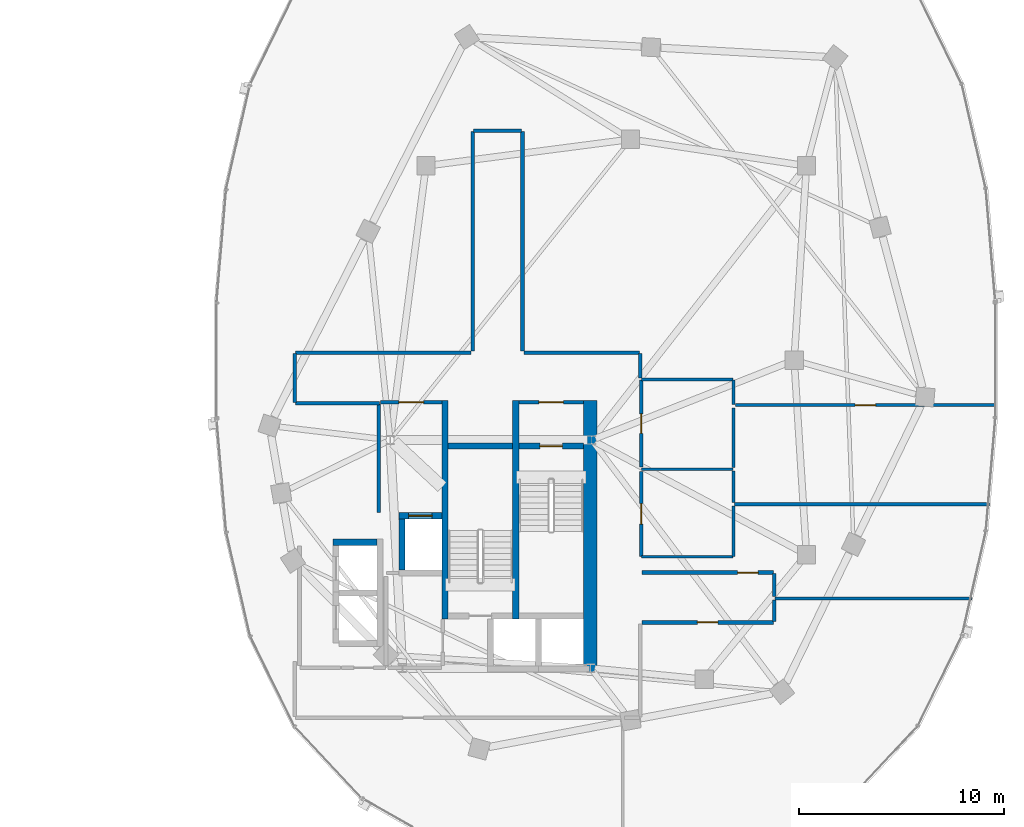
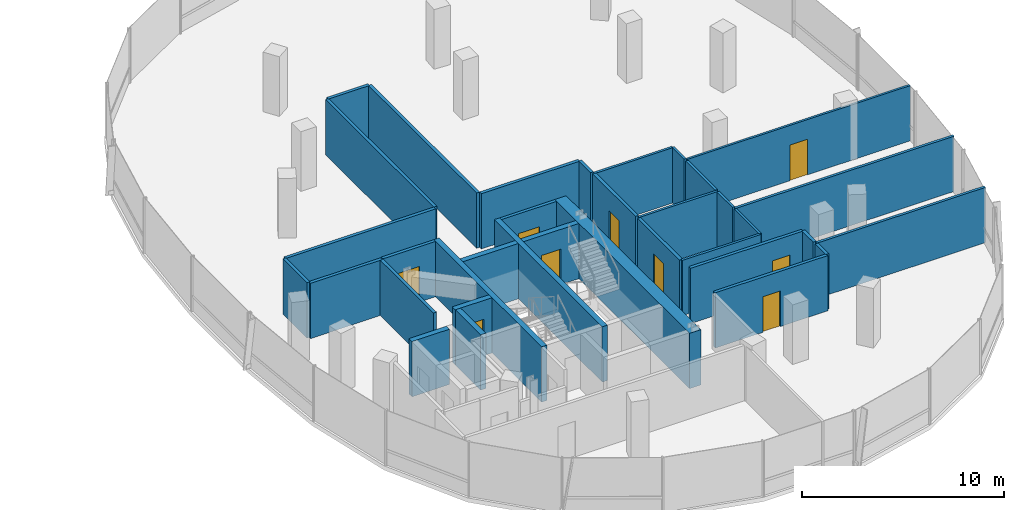
# One storey, part 17 of 25: 35 walls, 9 doors, 9 openings.
"""IFC4 building model written with IfcOpenShell, lengths in metres."""

from ifc_helpers import new_model, si_unit, direction, frame, frame_2d, origin, place, context, subcontext, project, spatial, rectangle, extrude, material, layer, layer_set, type_object, element, fill, save


model = new_model("IFC4")

# Units and contexts
model_context = context("Model", 3, precision=1e-05, world=origin(), true_north=direction((0.0, 1.0)))
body_context = subcontext(model_context, "Body", "Model", "MODEL_VIEW")
ifc_project = project(units=[si_unit("LENGTHUNIT", "METRE"), si_unit("AREAUNIT", "SQUARE_METRE"), si_unit("VOLUMEUNIT", "CUBIC_METRE"), si_unit("PLANEANGLEUNIT", "RADIAN"), si_unit("MASSUNIT", "GRAM", prefix="KILO"), si_unit("THERMODYNAMICTEMPERATUREUNIT", "KELVIN"), si_unit("POWERUNIT", "WATT")], contexts=[model_context])

# Site, building, storey
site_placement = place(None, origin())
site = spatial("IfcSite", under=ifc_project, at=site_placement, CompositionType="ELEMENT")
building_placement = place(site_placement, origin())
building = spatial("IfcBuilding", under=site, at=building_placement, Name="Cundina Bronze Exchange", CompositionType="ELEMENT")
storey_placement = place(building_placement, frame((0.0, 0.0, 191.800048828125)))
storey = spatial("IfcBuildingStorey", under=building, at=storey_placement, Name="L50", CompositionType="ELEMENT", Elevation=191.800048828125)

# Wall
ifc_material_1 = material(Name="Gypsum Fireboard Partition EI120")
ifc_layer_1 = layer(ifc_material_1, 0.179931640625, Name="Gypsum Fireboard Partition EI120")
ifc_layer_set_1 = layer_set([ifc_layer_1], Name="Gypsum Fireboard Partition EI120")
wall_type_1 = type_object("IfcWallType", Name="WL-COR-180", PredefinedType="PARTITIONING", material=ifc_layer_set_1)
wall_1_placement = place(storey_placement, frame((20.889892578125, -7.449951171875, 0.0), z_axis=(0.0, 0.0, 1.0), x_axis=(0.0, 1.0, 0.0)))
element("IfcWall", 1, at=wall_1_placement, inside=storey, type_object=wall_type_1, Name="L50 E Firefighting Lobby Side Wall", PredefinedType="PARTITIONING", context=body_context, shape_type="SweptSolid", body=[
    extrude(rectangle(XDim=5.300048828125, YDim=0.179931640625, at=frame_2d((2.64990234375, 0.0))), origin(), (0.0, 0.0, 1.0), 3.33984375),
])

# Wall, opening, door
wall_2_placement = place(storey_placement, frame((20.97998046875, -2.06005859375, 0.0), z_axis=(0.0, 0.0, 1.0), x_axis=(1.0, 0.0, 0.0)))
wall_2 = element("IfcWall", 2, at=wall_2_placement, inside=storey, type_object=wall_type_1, Name="L50 E Firefighting Lobby Exit Wall", PredefinedType="PARTITIONING", context=body_context, shape_type="SweptSolid", body=[
    extrude(rectangle(XDim=3.0, YDim=0.179931640625, at=frame_2d((1.5, 0.0))), origin(), (0.0, 0.0, 1.0), 3.33984375),
])
opening_1_placement = place(wall_2_placement, frame((0.89990234375, 0.0, 0.0)))
opening_1 = element("IfcOpeningElement", 3, at=opening_1_placement, cuts=wall_2, Name="Opening DF-01", PredefinedType="OPENING", context=body_context, shape_type="SweptSolid", body=[
    extrude(rectangle(XDim=1.199951171875, YDim=2.14990234375, at=frame_2d((0.60009765625, 1.074951171875))), frame((0.0, 0.099853515625, 0.0), z_axis=(0.0, -1.0, 0.0), x_axis=(1.0, 0.0, 0.0)), (0.0, 0.0, 1.0), 0.199951171875),
])
ifc_material_2 = material(Name="Steel ASTM A36 Painted", Category="steel")
door_type_1 = type_object("IfcDoorType", Name="DR-FFL-1200", OperationType="NOTDEFINED", PredefinedType="DOOR", material=ifc_material_2)
door_1_placement = place(opening_1_placement, origin())
door_1 = element("IfcDoor", 4, at=door_1_placement, inside=storey, type_object=door_type_1, Name="L50 E Firefighting Lobby Door", OperationType="SINGLE_SWING_LEFT", OverallHeight=2.14990234375, OverallWidth=1.199951171875, PredefinedType="DOOR", context=body_context, shape_type="SweptSolid", body=[
    extrude(rectangle(XDim=1.199951171875, YDim=2.14990234375, at=frame_2d((0.60009765625, 1.074951171875))), frame((0.0, 0.02490234375, 0.0), z_axis=(0.0, -1.0, 0.0), x_axis=(1.0, 0.0, 0.0)), (0.0, 0.0, 1.0), 0.050048828125),
])
fill(opening_1, door_1)

wall_3_placement = place(storey_placement, frame((27.739990234375, -2.06005859375, 0.0), z_axis=(0.0, 0.0, 1.0), x_axis=(1.0, 0.0, 0.0)))
wall_3 = element("IfcWall", 5, at=wall_3_placement, inside=storey, type_object=wall_type_1, Name="L50 E Stair Vestibule Exit Wall", PredefinedType="PARTITIONING", context=body_context, shape_type="SweptSolid", body=[
    extrude(rectangle(XDim=3.159912109375, YDim=0.179931640625, at=frame_2d((1.580078125, 0.0))), origin(), (0.0, 0.0, 1.0), 3.33984375),
])
opening_2_placement = place(wall_3_placement, frame((0.97998046875, 0.0, 0.0)))
opening_2 = element("IfcOpeningElement", 6, at=opening_2_placement, cuts=wall_3, Name="Opening DF-01", PredefinedType="OPENING", context=body_context, shape_type="SweptSolid", body=[
    extrude(rectangle(XDim=1.199951171875, YDim=2.14990234375, at=frame_2d((0.60009765625, 1.074951171875))), frame((0.0, 0.099853515625, 0.0), z_axis=(0.0, -1.0, 0.0), x_axis=(1.0, 0.0, 0.0)), (0.0, 0.0, 1.0), 0.199951171875),
])
door_2_placement = place(opening_2_placement, origin())
door_2 = element("IfcDoor", 7, at=door_2_placement, inside=storey, type_object=door_type_1, Name="L50 E Stair Vestibule Door", OperationType="SINGLE_SWING_RIGHT", OverallHeight=2.14990234375, OverallWidth=1.199951171875, PredefinedType="DOOR", context=body_context, shape_type="SweptSolid", body=[
    extrude(rectangle(XDim=1.199951171875, YDim=2.14990234375, at=frame_2d((0.60009765625, 1.074951171875))), frame((0.0, 0.02490234375, 0.0), z_axis=(0.0, -1.0, 0.0), x_axis=(1.0, 0.0, 0.0)), (0.0, 0.0, 1.0), 0.050048828125),
])
fill(opening_2, door_2)

wall_4_placement = place(storey_placement, frame((33.719970703125, -5.22998046875, 0.0), z_axis=(0.0, 0.0, 1.0), x_axis=(0.0, 1.0, 0.0)))
wall_4 = element("IfcWall", 8, at=wall_4_placement, inside=storey, type_object=wall_type_1, Name="L50 Interior Partition 054", PredefinedType="PARTITIONING", context=body_context, shape_type="SweptSolid", body=[
    extrude(rectangle(XDim=4.260009765625, YDim=0.179931640625, at=frame_2d((2.1298828125, 0.0))), origin(), (0.0, 0.0, 1.0), 3.33984375),
])
opening_3_placement = place(wall_4_placement, frame((1.655029296875, 0.0, 0.0)))
opening_3 = element("IfcOpeningElement", 9, at=opening_3_placement, cuts=wall_4, Name="Opening DW-01", PredefinedType="OPENING", context=body_context, shape_type="SweptSolid", body=[
    extrude(rectangle(XDim=0.949951171875, YDim=2.10009765625, at=frame_2d((0.47509765625, 1.050048828125))), frame((0.0, 0.099853515625, 0.0), z_axis=(0.0, -1.0, 0.0), x_axis=(1.0, 0.0, 0.0)), (0.0, 0.0, 1.0), 0.199951171875),
])
ifc_material_3 = material(Name="Solid Andean Oak Timber Grade A", Category="wood")
door_type_2 = type_object("IfcDoorType", Name="DR-WC-950", OperationType="NOTDEFINED", PredefinedType="DOOR", material=ifc_material_3)
door_3_placement = place(opening_3_placement, origin())
door_3 = element("IfcDoor", 10, at=door_3_placement, inside=storey, type_object=door_type_2, Name="L50 Interior Door 054", OperationType="SINGLE_SWING_RIGHT", OverallHeight=2.10009765625, OverallWidth=0.949951171875, PredefinedType="DOOR", context=body_context, shape_type="SweptSolid", body=[
    extrude(rectangle(XDim=0.949951171875, YDim=2.10009765625, at=frame_2d((0.47509765625, 1.050048828125))), frame((0.0, 0.02490234375, 0.0), z_axis=(0.0, -1.0, 0.0), x_axis=(1.0, 0.0, 0.0)), (0.0, 0.0, 1.0), 0.050048828125),
])
fill(opening_3, door_3)

wall_5_placement = place(storey_placement, frame((33.719970703125, -9.590087890625, 0.0), z_axis=(0.0, 0.0, 1.0), x_axis=(0.0, 1.0, 0.0)))
wall_5 = element("IfcWall", 11, at=wall_5_placement, inside=storey, type_object=wall_type_1, Name="L50 Interior Partition 055", PredefinedType="PARTITIONING", context=body_context, shape_type="SweptSolid", body=[
    extrude(rectangle(XDim=4.16015625, YDim=0.179931640625, at=frame_2d((2.080078125, 0.0))), origin(), (0.0, 0.0, 1.0), 3.33984375),
])
opening_4_placement = place(wall_5_placement, frame((1.580078125, 0.0, 0.0)))
opening_4 = element("IfcOpeningElement", 12, at=opening_4_placement, cuts=wall_5, Name="Opening DO-01", PredefinedType="OPENING", context=body_context, shape_type="SweptSolid", body=[
    extrude(rectangle(XDim=1.0, YDim=2.14990234375, at=frame_2d((0.5, 1.074951171875))), frame((0.0, 0.099853515625, 0.0), z_axis=(0.0, -1.0, 0.0), x_axis=(1.0, 0.0, 0.0)), (0.0, 0.0, 1.0), 0.199951171875),
])
door_type_3 = type_object("IfcDoorType", Name="DR-OFF-1000", OperationType="NOTDEFINED", PredefinedType="DOOR", material=ifc_material_3)
door_4_placement = place(opening_4_placement, origin())
door_4 = element("IfcDoor", 13, at=door_4_placement, inside=storey, type_object=door_type_3, Name="L50 Interior Door 055", OperationType="SINGLE_SWING_RIGHT", OverallHeight=2.14990234375, OverallWidth=1.0, PredefinedType="DOOR", context=body_context, shape_type="SweptSolid", body=[
    extrude(rectangle(XDim=1.0, YDim=2.14990234375, at=frame_2d((0.5, 1.074951171875))), frame((0.0, 0.02490234375, 0.0), z_axis=(0.0, -1.0, 0.0), x_axis=(1.0, 0.0, 0.0)), (0.0, 0.0, 1.0), 0.050048828125),
])
fill(opening_4, door_4)

wall_6_placement = place(storey_placement, frame((33.75, -12.820068359375, 0.0), z_axis=(0.0, 0.0, 1.0), x_axis=(1.0, 0.0, 0.0)))
wall_6 = element("IfcWall", 14, at=wall_6_placement, inside=storey, type_object=wall_type_1, Name="L50 Interior Partition 059", PredefinedType="PARTITIONING", context=body_context, shape_type="SweptSolid", body=[
    extrude(rectangle(XDim=6.428466796875, YDim=0.179931640625, at=frame_2d((3.21435546875, 0.0))), origin(), (0.0, 0.0, 1.0), 3.33984375),
])
opening_5_placement = place(wall_6_placement, frame((2.714111328125, 0.0, 0.0)))
opening_5 = element("IfcOpeningElement", 15, at=opening_5_placement, cuts=wall_6, Name="Opening DO-01", PredefinedType="OPENING", context=body_context, shape_type="SweptSolid", body=[
    extrude(rectangle(XDim=1.0, YDim=2.14990234375, at=frame_2d((0.5, 1.074951171875))), frame((0.0, 0.099853515625, 0.0), z_axis=(0.0, -1.0, 0.0), x_axis=(1.0, 0.0, 0.0)), (0.0, 0.0, 1.0), 0.199951171875),
])
door_5_placement = place(opening_5_placement, origin())
door_5 = element("IfcDoor", 16, at=door_5_placement, inside=storey, type_object=door_type_3, Name="L50 Interior Door 059", OperationType="SINGLE_SWING_RIGHT", OverallHeight=2.14990234375, OverallWidth=1.0, PredefinedType="DOOR", context=body_context, shape_type="SweptSolid", body=[
    extrude(rectangle(XDim=1.0, YDim=2.14990234375, at=frame_2d((0.5, 1.074951171875))), frame((0.0, 0.02490234375, 0.0), z_axis=(0.0, -1.0, 0.0), x_axis=(1.0, 0.0, 0.0)), (0.0, 0.0, 1.0), 0.050048828125),
])
fill(opening_5, door_5)

# Wall
wall_7_placement = place(storey_placement, frame((40.219970703125, -12.778564453125, 0.0), z_axis=(0.0, 0.0, 1.0), x_axis=(0.0, 1.0, 0.0)))
element("IfcWall", 17, at=wall_7_placement, inside=storey, type_object=wall_type_1, Name="L50 Interior Partition 061", PredefinedType="PARTITIONING", context=body_context, shape_type="SweptSolid", body=[
    extrude(rectangle(XDim=1.048583984375, YDim=0.179931640625, at=frame_2d((0.5244140625, 0.0))), origin(), (0.0, 0.0, 1.0), 3.33984375),
])

# Wall, opening, door
wall_8_placement = place(storey_placement, frame((40.178466796875, -10.3798828125, 0.0), z_axis=(0.0, 0.0, 1.0), x_axis=(-1.0, 0.0, 0.0)))
wall_8 = element("IfcWall", 18, at=wall_8_placement, inside=storey, type_object=wall_type_1, Name="L50 Interior Partition 063", PredefinedType="PARTITIONING", context=body_context, shape_type="SweptSolid", body=[
    extrude(rectangle(XDim=6.428466796875, YDim=0.179931640625, at=frame_2d((3.21435546875, 0.0))), origin(), (0.0, 0.0, 1.0), 3.33984375),
])
opening_6_placement = place(wall_8_placement, frame((0.74267578125, 0.0, 0.0)))
opening_6 = element("IfcOpeningElement", 19, at=opening_6_placement, cuts=wall_8, Name="Opening DO-01", PredefinedType="OPENING", context=body_context, shape_type="SweptSolid", body=[
    extrude(rectangle(XDim=1.0, YDim=2.14990234375, at=frame_2d((0.5, 1.074951171875))), frame((0.0, 0.099853515625, 0.0), z_axis=(0.0, -1.0, 0.0), x_axis=(1.0, 0.0, 0.0)), (0.0, 0.0, 1.0), 0.199951171875),
])
door_6_placement = place(opening_6_placement, origin())
door_6 = element("IfcDoor", 20, at=door_6_placement, inside=storey, type_object=door_type_3, Name="L50 Interior Door 063", OperationType="SINGLE_SWING_LEFT", OverallHeight=2.14990234375, OverallWidth=1.0, PredefinedType="DOOR", context=body_context, shape_type="SweptSolid", body=[
    extrude(rectangle(XDim=1.0, YDim=2.14990234375, at=frame_2d((0.5, 1.074951171875))), frame((0.0, 0.02490234375, 0.0), z_axis=(0.0, -1.0, 0.0), x_axis=(1.0, 0.0, 0.0)), (0.0, 0.0, 1.0), 0.050048828125),
])
fill(opening_6, door_6)

# Walls
wall_9_placement = place(storey_placement, frame((40.219970703125, -11.550048828125, 0.0), z_axis=(0.0, 0.0, 1.0), x_axis=(0.0, 1.0, 0.0)))
element("IfcWall", 21, at=wall_9_placement, inside=storey, type_object=wall_type_1, Name="L50 Interior Partition 064", PredefinedType="PARTITIONING", context=body_context, shape_type="SweptSolid", body=[
    extrude(rectangle(XDim=1.128662109375, YDim=0.179931640625, at=frame_2d((0.564453125, 0.0))), origin(), (0.0, 0.0, 1.0), 3.33984375),
])
for number, where, z_axis, x_axis, name in (
    (22, (27.919921875, 0.449951171875, 0.0), (0.0, 0.0, 1.0), (0.0, 1.0, 0.0), "L50 Interior Partition 066"),
    (23, (25.47998046875, 11.178466796875, 0.0), (0.0, 0.0, 1.0), (0.0, -1.0, 0.0), "L50 Interior Partition 067"),
):
    element("IfcWall", number, at=place(storey_placement, frame(where, z_axis=z_axis, x_axis=x_axis)), inside=storey, type_object=wall_type_1, Name=name, PredefinedType="PARTITIONING", context=body_context, shape_type="SweptSolid", body=[
        extrude(rectangle(XDim=10.728515625, YDim=0.179931640625, at=frame_2d((5.3642578125, 0.0))), origin(), (0.0, 0.0, 1.0), 3.33984375),
    ])
wall_10_placement = place(storey_placement, frame((25.39990234375, 0.3701171875, 0.0), z_axis=(0.0, 0.0, 1.0), x_axis=(-1.0, 0.0, 0.0)))
element("IfcWall", 24, at=wall_10_placement, inside=storey, type_object=wall_type_1, Name="L50 Interior Partition 068", PredefinedType="PARTITIONING", context=body_context, shape_type="SweptSolid", body=[
    extrude(rectangle(XDim=8.578369140625, YDim=0.179931640625, at=frame_2d((4.2890625, 0.0))), origin(), (0.0, 0.0, 1.0), 3.33984375),
])
wall_11_placement = place(storey_placement, frame((33.62841796875, 0.3701171875, 0.0), z_axis=(0.0, 0.0, 1.0), x_axis=(-1.0, 0.0, 0.0)))
element("IfcWall", 25, at=wall_11_placement, inside=storey, type_object=wall_type_1, Name="L50 Interior Partition 069", PredefinedType="PARTITIONING", context=body_context, shape_type="SweptSolid", body=[
    extrude(rectangle(XDim=5.62841796875, YDim=0.179931640625, at=frame_2d((2.814208984375, 0.0))), origin(), (0.0, 0.0, 1.0), 3.33984375),
])
wall_12_placement = place(storey_placement, frame((16.821533203125, -2.10009765625, 0.0), z_axis=(0.0, 0.0, 1.0), x_axis=(1.0, 0.0, 0.0)))
element("IfcWall", 26, at=wall_12_placement, inside=storey, type_object=wall_type_1, Name="L50 Interior Partition 070", PredefinedType="PARTITIONING", context=body_context, shape_type="SweptSolid", body=[
    extrude(rectangle(XDim=4.098388671875, YDim=0.179931640625, at=frame_2d((2.04931640625, 0.0))), origin(), (0.0, 0.0, 1.0), 3.33984375),
])
wall_13_placement = place(storey_placement, frame((16.780029296875, 0.32861328125, 0.0), z_axis=(0.0, 0.0, 1.0), x_axis=(0.0, -1.0, 0.0)))
element("IfcWall", 27, at=wall_13_placement, inside=storey, type_object=wall_type_1, Name="L50 Interior Partition 072", PredefinedType="PARTITIONING", context=body_context, shape_type="SweptSolid", body=[
    extrude(rectangle(XDim=2.38720703125, YDim=0.179931640625, at=frame_2d((1.193603515625, 0.0))), origin(), (0.0, 0.0, 1.0), 3.33984375),
])
wall_14_placement = place(storey_placement, frame((27.87841796875, 11.219970703125, 0.0), z_axis=(0.0, 0.0, 1.0), x_axis=(-1.0, 0.0, 0.0)))
element("IfcWall", 28, at=wall_14_placement, inside=storey, type_object=wall_type_1, Name="L50 Interior Partition 073", PredefinedType="PARTITIONING", context=body_context, shape_type="SweptSolid", body=[
    extrude(rectangle(XDim=2.35693359375, YDim=0.179931640625, at=frame_2d((1.178466796875, 0.0))), origin(), (0.0, 0.0, 1.0), 3.33984375),
])
wall_15_placement = place(storey_placement, frame((33.669921875, -0.858642578125, 0.0), z_axis=(0.0, 0.0, 1.0), x_axis=(0.0, 1.0, 0.0)))
element("IfcWall", 29, at=wall_15_placement, inside=storey, type_object=wall_type_1, Name="L50 Interior Partition 074", PredefinedType="PARTITIONING", context=body_context, shape_type="SweptSolid", body=[
    extrude(rectangle(XDim=1.187255859375, YDim=0.179931640625, at=frame_2d((0.59375, 0.0))), origin(), (0.0, 0.0, 1.0), 3.33984375),
])
ifc_material_4 = material(Name="Concrete C50/60", Category="concrete")
ifc_layer_2 = layer(ifc_material_4, 0.64990234375, Name="Concrete C50/60", Category="concrete")
ifc_layer_set_2 = layer_set([ifc_layer_2], Name="Concrete C50/60")
wall_type_2 = type_object("IfcWallType", Name="WL-CORE-650", PredefinedType="SHEAR", material=ifc_layer_set_2)
wall_16_placement = place(storey_placement, frame((31.22509765625, -15.300048828125, 0.0), z_axis=(0.0, 0.0, 1.0), x_axis=(0.0, 1.0, 0.0)))
element("IfcWall", 30, at=wall_16_placement, inside=storey, type_object=wall_type_2, Name="L50 E Primary Core Shear Spine Wall", PredefinedType="SHEAR", context=body_context, shape_type="SweptSolid", body=[
    extrude(rectangle(XDim=13.330078125, YDim=0.64990234375, at=frame_2d((6.6650390625, 0.0))), origin(), (0.0, 0.0, 1.0), 3.33984375),
])

# Wall, opening, door
ifc_material_5 = material(Name="Gypsum Acoustic Partition EI60")
ifc_layer_3 = layer(ifc_material_5, 0.125, Name="Gypsum Acoustic Partition EI60")
ifc_layer_set_3 = layer_set([ifc_layer_3], Name="Gypsum Acoustic Partition EI60")
wall_type_3 = type_object("IfcWallType", Name="WL-OFF-125", PredefinedType="PARTITIONING", material=ifc_layer_set_3)
wall_17_placement = place(storey_placement, frame((38.320068359375, -2.18994140625, 0.0), z_axis=(0.0, 0.0, 1.0), x_axis=(1.0, 0.0, 0.0)))
wall_17 = element("IfcWall", 31, at=wall_17_placement, inside=storey, type_object=wall_type_3, Name="L50 Interior Partition 075", PredefinedType="PARTITIONING", context=body_context, shape_type="SweptSolid", body=[
    extrude(rectangle(XDim=12.72900390625, YDim=0.125, at=frame_2d((6.364501953125, 0.0))), origin(), (0.0, 0.0, 1.0), 3.33984375),
])
opening_7_placement = place(wall_17_placement, frame((5.864501953125, 0.0, 0.0)))
opening_7 = element("IfcOpeningElement", 32, at=opening_7_placement, cuts=wall_17, Name="Opening DO-01", PredefinedType="OPENING", context=body_context, shape_type="SweptSolid", body=[
    extrude(rectangle(XDim=1.0, YDim=2.14990234375, at=frame_2d((0.5, 1.074951171875))), frame((0.0, 0.072509765625, 0.0), z_axis=(0.0, -1.0, 0.0), x_axis=(1.0, 0.0, 0.0)), (0.0, 0.0, 1.0), 0.14501953125),
])
door_7_placement = place(opening_7_placement, origin())
door_7 = element("IfcDoor", 33, at=door_7_placement, inside=storey, type_object=door_type_3, Name="L50 Interior Door 075", OperationType="SINGLE_SWING_RIGHT", OverallHeight=2.14990234375, OverallWidth=1.0, PredefinedType="DOOR", context=body_context, shape_type="SweptSolid", body=[
    extrude(rectangle(XDim=1.0, YDim=2.14990234375, at=frame_2d((0.5, 1.074951171875))), frame((0.0, 0.02490234375, 0.0), z_axis=(0.0, -1.0, 0.0), x_axis=(1.0, 0.0, 0.0)), (0.0, 0.0, 1.0), 0.050048828125),
])
fill(opening_7, door_7)

# Walls
ifc_layer_4 = layer(ifc_material_4, 0.300048828125, Name="Concrete C50/60", Category="concrete")
ifc_layer_set_4 = layer_set([ifc_layer_4], Name="Concrete C50/60")
wall_type_4 = type_object("IfcWallType", Name="WL-SHFT-300", PredefinedType="SHEAR", material=ifc_layer_set_4)
for number, where, z_axis, x_axis, name in (
    (34, (27.590087890625, -12.64990234375, 0.0), (0.0, 0.0, 1.0), (0.0, 1.0, 0.0), "L50 E Stair Shaft Dividing Shear Wall"),
    (35, (24.1298828125, -12.64990234375, 0.0), (0.0, 0.0, 1.0), (0.0, 1.0, 0.0), "L50 E Stair 2 East Shear Wall"),
):
    element("IfcWall", number, at=place(storey_placement, frame(where, z_axis=z_axis, x_axis=x_axis)), inside=storey, type_object=wall_type_4, Name=name, PredefinedType="SHEAR", context=body_context, shape_type="SweptSolid", body=[
        extrude(rectangle(XDim=10.679931640625, YDim=0.300048828125, at=frame_2d((5.33984375, 0.0))), origin(), (0.0, 0.0, 1.0), 3.33984375),
    ])

# Wall, opening, door
wall_18_placement = place(storey_placement, frame((27.739990234375, -4.199951171875, 0.0), z_axis=(0.0, 0.0, 1.0), x_axis=(1.0, 0.0, 0.0)))
wall_18 = element("IfcWall", 36, at=wall_18_placement, inside=storey, type_object=wall_type_4, Name="L50 Stair E1 Landing Wall", PredefinedType="SHEAR", context=body_context, shape_type="SweptSolid", body=[
    extrude(rectangle(XDim=3.159912109375, YDim=0.300048828125, at=frame_2d((1.580078125, 0.0))), origin(), (0.0, 0.0, 1.0), 3.33984375),
])
opening_8_placement = place(wall_18_placement, frame((1.030029296875, 0.0, 0.0)))
opening_8 = element("IfcOpeningElement", 37, at=opening_8_placement, cuts=wall_18, Name="Opening DS-01", PredefinedType="OPENING", context=body_context, shape_type="SweptSolid", body=[
    extrude(rectangle(XDim=1.10009765625, YDim=2.14990234375, at=frame_2d((0.550048828125, 1.074951171875))), frame((0.0, 0.159912109375, 0.0), z_axis=(0.0, -1.0, 0.0), x_axis=(1.0, 0.0, 0.0)), (0.0, 0.0, 1.0), 0.320068359375),
])
door_type_4 = type_object("IfcDoorType", Name="DR-STR-1100", OperationType="NOTDEFINED", PredefinedType="DOOR", material=ifc_material_2)
door_8_placement = place(opening_8_placement, origin())
door_8 = element("IfcDoor", 38, at=door_8_placement, inside=storey, type_object=door_type_4, Name="L50 Smokeproof Stair E1 Door", OperationType="SINGLE_SWING_LEFT", OverallHeight=2.14990234375, OverallWidth=1.10009765625, PredefinedType="DOOR", context=body_context, shape_type="SweptSolid", body=[
    extrude(rectangle(XDim=1.10009765625, YDim=2.14990234375, at=frame_2d((0.550048828125, 1.074951171875))), frame((0.0, 0.02490234375, 0.0), z_axis=(0.0, -1.0, 0.0), x_axis=(1.0, 0.0, 0.0)), (0.0, 0.0, 1.0), 0.050048828125),
])
fill(opening_8, door_8)

# Wall
wall_19_placement = place(storey_placement, frame((24.280029296875, -4.199951171875, 0.0), z_axis=(0.0, 0.0, 1.0), x_axis=(1.0, 0.0, 0.0)))
element("IfcWall", 39, at=wall_19_placement, inside=storey, type_object=wall_type_4, Name="L50 Stair E2 Far Shaft Wall", PredefinedType="SHEAR", context=body_context, shape_type="SweptSolid", body=[
    extrude(rectangle(XDim=3.159912109375, YDim=0.300048828125, at=frame_2d((1.580078125, 0.0))), origin(), (0.0, 0.0, 1.0), 3.33984375),
])

# Wall, opening, door
wall_20_placement = place(storey_placement, frame((21.8798828125, -7.60009765625, 0.0), z_axis=(0.0, 0.0, 1.0), x_axis=(1.0, 0.0, 0.0)))
wall_20 = element("IfcWall", 40, at=wall_20_placement, inside=storey, type_object=wall_type_4, Name="L50 FFL-E Hoistway Front Wall", PredefinedType="SHEAR", context=body_context, shape_type="SweptSolid", body=[
    extrude(rectangle(XDim=2.10009765625, YDim=0.300048828125, at=frame_2d((1.050048828125, 0.0))), origin(), (0.0, 0.0, 1.0), 3.33984375),
])
opening_9_placement = place(wall_20_placement, frame((0.47509765625, 0.0, 0.0)))
opening_9 = element("IfcOpeningElement", 41, at=opening_9_placement, cuts=wall_20, Name="Opening LD-01", PredefinedType="OPENING", context=body_context, shape_type="SweptSolid", body=[
    extrude(rectangle(XDim=1.14990234375, YDim=2.199951171875, at=frame_2d((0.574951171875, 1.10009765625))), frame((0.0, 0.159912109375, 0.0), z_axis=(0.0, -1.0, 0.0), x_axis=(1.0, 0.0, 0.0)), (0.0, 0.0, 1.0), 0.320068359375),
])
door_type_5 = type_object("IfcDoorType", Name="DR-LND-1150", OperationType="NOTDEFINED", PredefinedType="TRAPDOOR", material=ifc_material_2)
door_9_placement = place(opening_9_placement, origin())
door_9 = element("IfcDoor", 42, at=door_9_placement, inside=storey, type_object=door_type_5, Name="L50 FFL-E Sliding Landing Door", OperationType="SLIDING_TO_LEFT", OverallHeight=2.199951171875, OverallWidth=1.14990234375, PredefinedType="TRAPDOOR", context=body_context, shape_type="SweptSolid", body=[
    extrude(rectangle(XDim=1.14990234375, YDim=2.199951171875, at=frame_2d((0.574951171875, 1.10009765625))), frame((0.0, 0.02490234375, 0.0), z_axis=(0.0, -1.0, 0.0), x_axis=(1.0, 0.0, 0.0)), (0.0, 0.0, 1.0), 0.050048828125),
])
fill(opening_9, door_9)

# Walls
wall_21_placement = place(storey_placement, frame((22.030029296875, -10.25, 0.0), z_axis=(0.0, 0.0, 1.0), x_axis=(0.0, 1.0, 0.0)))
element("IfcWall", 43, at=wall_21_placement, inside=storey, type_object=wall_type_4, Name="L50 FFL-E Hoistway Side Wall", PredefinedType="SHEAR", context=body_context, shape_type="SweptSolid", body=[
    extrude(rectangle(XDim=2.5, YDim=0.300048828125, at=frame_2d((1.25, 0.0))), origin(), (0.0, 0.0, 1.0), 3.33984375),
])
wall_22_placement = place(storey_placement, frame((18.64990234375, -8.89990234375, 0.0), z_axis=(0.0, 0.0, 1.0), x_axis=(1.0, 0.0, 0.0)))
element("IfcWall", 44, at=wall_22_placement, inside=storey, type_object=wall_type_4, Name="L50 E Passenger Bank North Cap Wall", PredefinedType="SHEAR", context=body_context, shape_type="SweptSolid", body=[
    extrude(rectangle(XDim=2.150146484375, YDim=0.300048828125, at=frame_2d((1.0751953125, 0.0))), origin(), (0.0, 0.0, 1.0), 3.33984375),
])
ifc_layer_5 = layer(ifc_material_5, 0.14990234375, Name="Gypsum Acoustic Partition EI60")
ifc_layer_set_5 = layer_set([ifc_layer_5], Name="Gypsum Acoustic Partition EI60")
wall_type_5 = type_object("IfcWallType", Name="WL-TEN-150", PredefinedType="PARTITIONING", material=ifc_layer_set_5)
wall_23_placement = place(storey_placement, frame((38.27001953125, -7.0400390625, 0.0), z_axis=(0.0, 0.0, 1.0), x_axis=(1.0, 0.0, 0.0)))
element("IfcWall", 45, at=wall_23_placement, inside=storey, type_object=wall_type_5, Name="L50 Interior Partition 056", PredefinedType="PARTITIONING", context=body_context, shape_type="SweptSolid", body=[
    extrude(rectangle(XDim=12.476318359375, YDim=0.14990234375, at=frame_2d((6.23828125, 0.0))), origin(), (0.0, 0.0, 1.0), 3.33984375),
])
wall_24_placement = place(storey_placement, frame((40.25, -11.639892578125, 0.0), z_axis=(0.0, 0.0, 1.0), x_axis=(1.0, 0.0, 0.0)))
element("IfcWall", 46, at=wall_24_placement, inside=storey, type_object=wall_type_5, Name="L50 Interior Partition 057", PredefinedType="PARTITIONING", context=body_context, shape_type="SweptSolid", body=[
    extrude(rectangle(XDim=9.637451171875, YDim=0.14990234375, at=frame_2d((4.81884765625, 0.0))), origin(), (0.0, 0.0, 1.0), 3.33984375),
])
ifc_material_6 = material(Name="Moisture-Resistant Masonry Block Grade M15", Category="masonry")
ifc_layer_6 = layer(ifc_material_6, 0.139892578125, Name="Moisture-Resistant Masonry Block Grade M15", Category="masonry")
ifc_layer_set_6 = layer_set([ifc_layer_6], Name="Moisture-Resistant Masonry Block Grade M15")
wall_type_6 = type_object("IfcWallType", Name="WL-WET-140", PredefinedType="PARTITIONING", material=ifc_layer_set_6)
wall_25_placement = place(storey_placement, frame((38.239990234375, -9.590087890625, 0.0), z_axis=(0.0, 0.0, 1.0), x_axis=(0.0, 1.0, 0.0)))
element("IfcWall", 47, at=wall_25_placement, inside=storey, type_object=wall_type_6, Name="L50 Interior Partition 047", PredefinedType="PARTITIONING", context=body_context, shape_type="SweptSolid", body=[
    extrude(rectangle(XDim=2.465087890625, YDim=0.139892578125, at=frame_2d((1.232421875, 0.0))), origin(), (0.0, 0.0, 1.0), 3.33984375),
])
wall_26_placement = place(storey_placement, frame((38.239990234375, -6.955078125, 0.0), z_axis=(0.0, 0.0, 1.0), x_axis=(0.0, 1.0, 0.0)))
element("IfcWall", 48, at=wall_26_placement, inside=storey, type_object=wall_type_6, Name="L50 Interior Partition 048", PredefinedType="PARTITIONING", context=body_context, shape_type="SweptSolid", body=[
    extrude(rectangle(XDim=1.5400390625, YDim=0.139892578125, at=frame_2d((0.77001953125, 0.0))), origin(), (0.0, 0.0, 1.0), 3.33984375),
])
wall_27_placement = place(storey_placement, frame((38.239990234375, -5.2451171875, 0.0), z_axis=(0.0, 0.0, 1.0), x_axis=(0.0, 1.0, 0.0)))
element("IfcWall", 49, at=wall_27_placement, inside=storey, type_object=wall_type_6, Name="L50 Interior Partition 049", PredefinedType="PARTITIONING", context=body_context, shape_type="SweptSolid", body=[
    extrude(rectangle(XDim=2.920166015625, YDim=0.139892578125, at=frame_2d((1.4599609375, 0.0))), origin(), (0.0, 0.0, 1.0), 3.33984375),
])
wall_28_placement = place(storey_placement, frame((38.239990234375, -2.155029296875, 0.0), z_axis=(0.0, 0.0, 1.0), x_axis=(0.0, 1.0, 0.0)))
element("IfcWall", 50, at=wall_28_placement, inside=storey, type_object=wall_type_6, Name="L50 Interior Partition 050", PredefinedType="PARTITIONING", context=body_context, shape_type="SweptSolid", body=[
    extrude(rectangle(XDim=1.18505859375, YDim=0.139892578125, at=frame_2d((0.592529296875, 0.0))), origin(), (0.0, 0.0, 1.0), 3.33984375),
])
for number, where, z_axis, x_axis, name in (
    (51, (33.739990234375, -0.949951171875, 0.0), (0.0, 0.0, 1.0), (1.0, 0.0, 0.0), "L50 Interior Partition 051"),
    (52, (33.739990234375, -5.330078125, 0.0), (0.0, 0.0, 1.0), (1.0, 0.0, 0.0), "L50 Interior Partition 052"),
    (53, (33.739990234375, -9.610107421875, 0.0), (0.0, 0.0, 1.0), (1.0, 0.0, 0.0), "L50 Interior Partition 053"),
):
    element("IfcWall", number, at=place(storey_placement, frame(where, z_axis=z_axis, x_axis=x_axis)), inside=storey, type_object=wall_type_6, Name=name, PredefinedType="PARTITIONING", context=body_context, shape_type="SweptSolid", body=[
        extrude(rectangle(XDim=4.47998046875, YDim=0.139892578125, at=frame_2d((2.239990234375, 0.0))), origin(), (0.0, 0.0, 1.0), 3.33984375),
    ])

save(model, "model.ifc")
